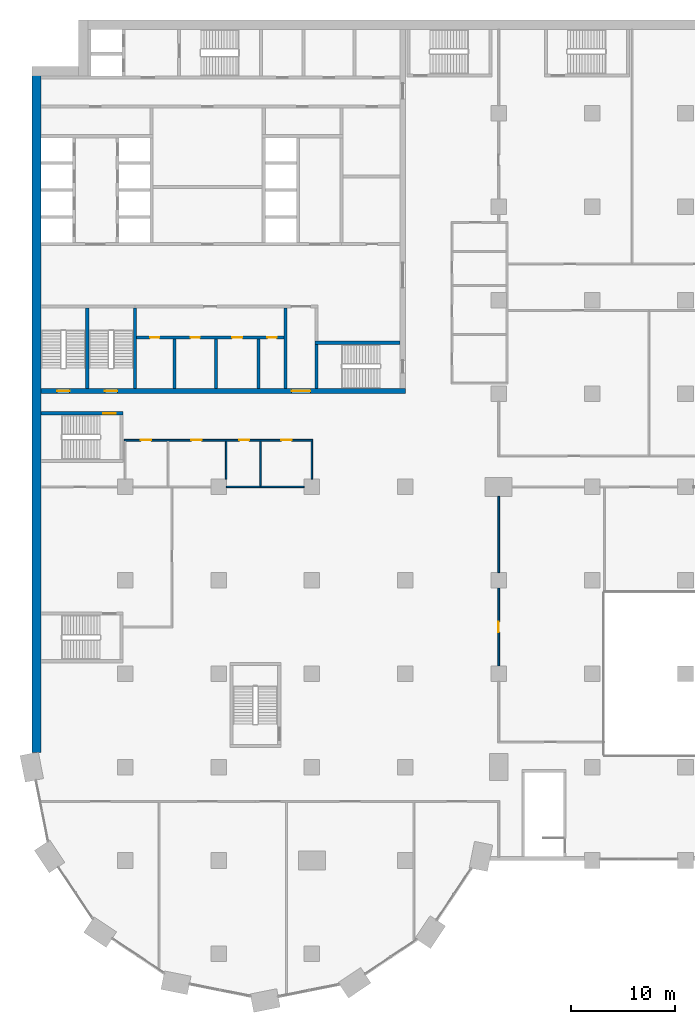
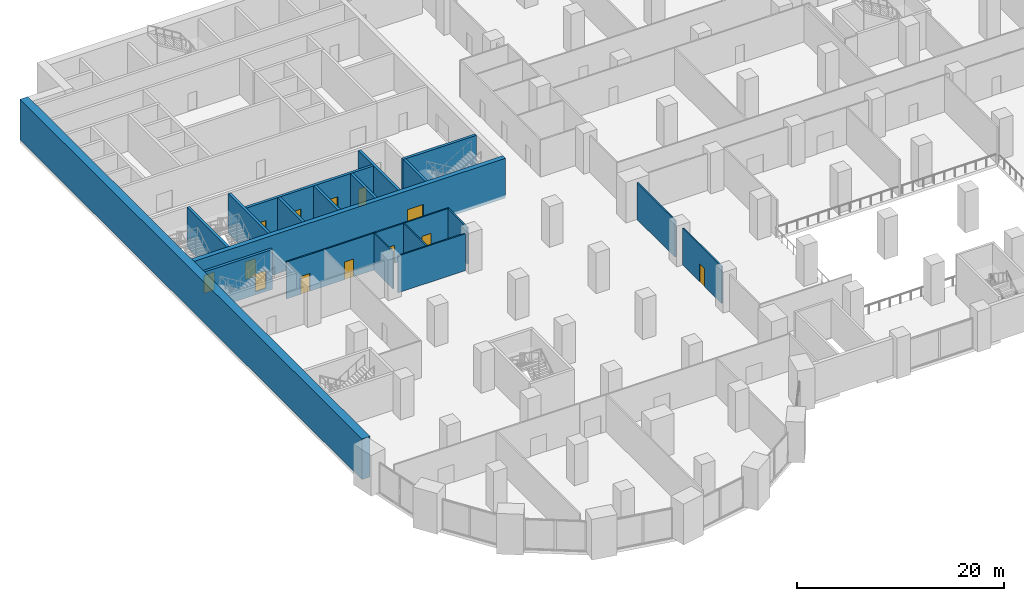
# One storey, part 14 of 32: 19 walls, 13 doors, 13 openings.
"""IFC4 building model written with IfcOpenShell, lengths in metres."""

import ifcopenshell
import ifcopenshell.guid

model = None  # the IFC model being written
_history = None  # IfcOwnerHistory: only IFC2X3 demands one
_inside = {}  # id of a spatial element -> (the spatial element, [elements in it])
_under = {}  # id of a project, library or spatial element -> (it, [spatial elements below it])
_declared = {}  # id of a project -> (the project, [libraries it declares])
_typed = {}  # id of a type object -> (the type object, [elements of that type])
_made_of = {}  # id of a material, layer set ... -> (it, [elements and type objects made of it])


def new_model(schema):
    """Start an empty IFC model of exactly this schema.

    Asked for "IFC4X3", IfcOpenShell would pick the latest addendum, in which some entities
    have other attributes; the version numbers below select the first issue.
    IFC2X3 requires an IfcOwnerHistory on every rooted entity: one is made here for all.
    """
    global model, _history
    if schema == "IFC4X3":
        model = ifcopenshell.file(schema_version=(4, 3, 0, 0))
    else:
        model = ifcopenshell.file(schema=schema)
    _inside.clear()
    _under.clear()
    _declared.clear()
    _typed.clear()
    _made_of.clear()
    _history = None
    if model.schema == "IFC2X3":
        org = make("IfcOrganization", Name="unknown")
        user = make(
            "IfcPersonAndOrganization",
            ThePerson=make("IfcPerson", FamilyName="unknown"),
            TheOrganization=org,
        )
        app = make(
            "IfcApplication",
            ApplicationDeveloper=org,
            Version="unknown",
            ApplicationFullName="unknown",
            ApplicationIdentifier="unknown",
        )
        _history = make(
            "IfcOwnerHistory",
            OwningUser=user,
            OwningApplication=app,
            ChangeAction="ADDED",
            CreationDate=0,
        )
    return model


def make(cls, **values):
    """One entity of the class cls with the attributes given. An attribute that is None is left unset."""
    return model.create_entity(
        cls, **{name: value for name, value in values.items() if value is not None}
    )


def rooted(cls, **values):
    """An entity with a GlobalId (a new one), such as an element, a storey or a relation."""
    return make(cls, GlobalId=ifcopenshell.guid.new(), OwnerHistory=_history, **values)


def si_unit(unit_type, name, prefix=None):
    """IfcSIUnit, for example si_unit("LENGTHUNIT", "METRE", prefix="MILLI")."""
    return make("IfcSIUnit", UnitType=unit_type, Prefix=prefix, Name=name)


def assignment(units):
    """IfcUnitAssignment: the units of a project."""
    return None if units is None else make("IfcUnitAssignment", Units=units)


def point(xyz):
    """IfcCartesianPoint."""
    return None if xyz is None else make("IfcCartesianPoint", Coordinates=xyz)


def direction(xyz):
    """IfcDirection."""
    return None if xyz is None else make("IfcDirection", DirectionRatios=xyz)


def frame(location, z_axis=None, x_axis=None):
    """IfcAxis2Placement3D, a coordinate frame: its origin and axes. An axis left out is left unset."""
    return make(
        "IfcAxis2Placement3D",
        Location=point(location),
        Axis=direction(z_axis),
        RefDirection=direction(x_axis),
    )


def frame_2d(location, x_axis=None):
    """IfcAxis2Placement2D, a coordinate frame in the plane: its origin and x axis."""
    return make(
        "IfcAxis2Placement2D", Location=point(location), RefDirection=direction(x_axis)
    )


def origin():
    """The frame at (0, 0, 0) with its axes left unset."""
    return frame((0.0, 0.0, 0.0))


def place(relative_to, where):
    """IfcLocalPlacement: puts the frame where relative to a parent placement (None: the world)."""
    return make(
        "IfcLocalPlacement", PlacementRelTo=relative_to, RelativePlacement=where
    )


def context(
    kind, dimensions, precision=None, world=None, true_north=None, identifier=None
):
    """IfcGeometricRepresentationContext, for example the 3D "Model" context."""
    return make(
        "IfcGeometricRepresentationContext",
        ContextIdentifier=identifier,
        ContextType=kind,
        CoordinateSpaceDimension=dimensions,
        Precision=precision,
        WorldCoordinateSystem=world,
        TrueNorth=true_north,
    )


def subcontext(parent, identifier, kind, view, scale=None):
    """IfcGeometricRepresentationSubContext, for example "Body" below "Model"."""
    return make(
        "IfcGeometricRepresentationSubContext",
        ContextIdentifier=identifier,
        ContextType=kind,
        ParentContext=parent,
        TargetScale=scale,
        TargetView=view,
    )


def project(units=None, contexts=None):
    """IfcProject with its units and contexts."""
    return rooted(
        "IfcProject",
        Name="project",
        RepresentationContexts=contexts,
        UnitsInContext=assignment(units),
    )


def spatial(cls, under=None, at=None, **own):
    """A site, building, storey or space (cls), placed at a placement, below another one or the project."""
    s = rooted(cls, ObjectPlacement=at, **own)
    if under is not None:
        _under.setdefault(under.id(), (under, []))[1].append(s)
    return s


def profile(cls, at=None, kind="AREA", **sizes):
    """A parametric profile (cls). Its sizes go by their IFC names, for example OverallWidth=200.0."""
    return make(cls, ProfileType=kind, Position=at, **sizes)


def rectangle(**sizes):
    """IfcRectangleProfileDef."""
    return profile("IfcRectangleProfileDef", **sizes)


def extrude(swept, where, along, depth):
    """IfcExtrudedAreaSolid: the profile swept, set in the frame where, extruded along a direction by depth."""
    return make(
        "IfcExtrudedAreaSolid",
        SweptArea=swept,
        Position=where,
        ExtrudedDirection=direction(along),
        Depth=depth,
    )


def shape(context_of_items, identifier, shape_type, items):
    """IfcShapeRepresentation: the items that make up one representation, for example the "Body"."""
    return make(
        "IfcShapeRepresentation",
        ContextOfItems=context_of_items,
        RepresentationIdentifier=identifier,
        RepresentationType=shape_type,
        Items=items,
    )


def material(Name=None, Category=None):
    """IfcMaterial."""
    return make("IfcMaterial", Name=Name, Category=Category)


def layer(
    of_material, thickness, ventilated=None, Name=None, Category=None, Priority=None
):
    """IfcMaterialLayer: one layer of a wall or slab, of a material (None: an air gap)."""
    return make(
        "IfcMaterialLayer",
        Material=of_material,
        LayerThickness=thickness,
        IsVentilated=ventilated,
        Name=Name,
        Category=Category,
        Priority=Priority,
    )


def layer_set(layers, Name=None):
    """IfcMaterialLayerSet."""
    return make("IfcMaterialLayerSet", MaterialLayers=layers, LayerSetName=Name)


def made_of(thing, what):
    """Note that an element or type object is made of a material, layer set ...; save() writes the relation."""
    if what is not None:
        _made_of.setdefault(what.id(), (what, []))[1].append(thing)
    return thing


def type_object(cls, material=None, **own):
    """A type object (cls), such as IfcWallType, which elements share."""
    return made_of(rooted(cls, **own), material)


def element(
    cls,
    number,
    at=None,
    inside=None,
    cuts=None,
    type_object=None,
    material=None,
    context=None,
    identifier="Body",
    shape_type=None,
    held_by="IfcProductDefinitionShape",
    body=None,
    shapes=None,
    **own,
):
    """One element of the class cls, such as IfcWall. Its Tag is "e" and its number.

    at: its placement. inside: the storey or other place that contains it. cuts: it is an
    opening in that element (IfcRelVoidsElement). A single representation is given by context,
    identifier, shape_type and body (its items); several are given by shapes. held_by: the class
    of the entity that holds the representations. save() writes the other relations.
    """
    e = rooted(cls, Tag="e%d" % number, ObjectPlacement=at, **own)
    if body is not None:
        shapes = [shape(context, identifier, shape_type, body)]
    if shapes is not None:
        e.Representation = make(held_by, Representations=shapes)
    if inside is not None:
        _inside.setdefault(inside.id(), (inside, []))[1].append(e)
    if cuts is not None:
        rooted(
            "IfcRelVoidsElement", RelatingBuildingElement=cuts, RelatedOpeningElement=e
        )
    if type_object is not None:
        _typed.setdefault(type_object.id(), (type_object, []))[1].append(e)
    return made_of(e, material)


def fill(opening, filler):
    """IfcRelFillsElement: the door or window that sits in an opening."""
    return rooted(
        "IfcRelFillsElement",
        RelatingOpeningElement=opening,
        RelatedBuildingElement=filler,
    )


def aggregate(whole, parts):
    """IfcRelAggregates: a whole, such as a stair, and the parts it consists of."""
    return rooted("IfcRelAggregates", RelatingObject=whole, RelatedObjects=parts)


def save(model, path):
    """Write the relations noted so far, then the file.

    IfcRelAggregates (storeys below a building ...), IfcRelContainedInSpatialStructure (elements
    in a storey), IfcRelDefinesByType, IfcRelAssociatesMaterial and IfcRelDeclares: one each for
    every whole, place, type object, material and project.
    """
    for whole, parts in _under.values():
        aggregate(whole, parts)
    for where, things in _inside.values():
        rooted(
            "IfcRelContainedInSpatialStructure",
            RelatedElements=things,
            RelatingStructure=where,
        )
    for kind, things in _typed.values():
        rooted("IfcRelDefinesByType", RelatedObjects=things, RelatingType=kind)
    for what, things in _made_of.values():
        rooted("IfcRelAssociatesMaterial", RelatedObjects=things, RelatingMaterial=what)
    for by, libraries in _declared.values():
        rooted("IfcRelDeclares", RelatingContext=by, RelatedDefinitions=libraries)
    model.write(path)


model = new_model("IFC4")

# Units and contexts
model_context = context("Model", 3, precision=1e-05, world=origin(), true_north=direction((0.0, 1.0)))
body_context = subcontext(model_context, "Body", "Model", "MODEL_VIEW")
ifc_project = project(units=[si_unit("LENGTHUNIT", "METRE"), si_unit("AREAUNIT", "SQUARE_METRE"), si_unit("VOLUMEUNIT", "CUBIC_METRE"), si_unit("PLANEANGLEUNIT", "RADIAN"), si_unit("MASSUNIT", "GRAM", prefix="KILO")], contexts=[model_context])

# Site, building, storey
site_placement = place(None, origin())
site = spatial("IfcSite", under=ifc_project, at=site_placement, CompositionType="ELEMENT")
building_placement = place(site_placement, origin())
building = spatial("IfcBuilding", under=site, at=building_placement, Name="Hunhe Ridgeline Campus", CompositionType="ELEMENT")
storey_placement = place(building_placement, frame((0.0, 0.0, 26.39990234375)))
storey = spatial("IfcBuildingStorey", under=building, at=storey_placement, Name="L05", CompositionType="ELEMENT", Elevation=26.39990234375)

# Wall, opening, door
ifc_material_1 = material(Name="Plastered blockwork", Category="masonry")
ifc_layer_1 = layer(ifc_material_1, 0.14990234375)
ifc_layer_set_1 = layer_set([ifc_layer_1], Name="Blockwork partition 150")
wall_type_1 = type_object("IfcWallType", Name="Blockwork partition 150", PredefinedType="PARTITIONING", material=ifc_layer_set_1)
wall_1_placement = place(storey_placement, frame((45.0, 36.75, 0.0), z_axis=(0.0, 0.0, 1.0), x_axis=(0.0, 1.0, 0.0)))
wall_1 = element("IfcWall", 1, at=wall_1_placement, inside=storey, type_object=wall_type_1, Name="L05 partition", PredefinedType="PARTITIONING", context=body_context, shape_type="SweptSolid", body=[
    extrude(rectangle(XDim=7.5, YDim=0.14990234375, at=frame_2d((3.75, 0.0))), origin(), (0.0, 0.0, 1.0), 4.35009765625),
])
opening_1_placement = place(wall_1_placement, frame((3.25, 0.0, 0.0)))
opening_1 = element("IfcOpeningElement", 2, at=opening_1_placement, cuts=wall_1, Name="Opening PD609", PredefinedType="OPENING", context=body_context, shape_type="SweptSolid", body=[
    extrude(rectangle(XDim=1.0, YDim=2.10009765625, at=frame_2d((0.5, 1.050048828125))), frame((0.0, 0.074951171875, 0.0), z_axis=(0.0, -1.0, 0.0), x_axis=(1.0, 0.0, 0.0)), (0.0, 0.0, 1.0), 0.14990234375),
])
ifc_material_2 = material(Name="Timber", Category="wood")
door_type_1 = type_object("IfcDoorType", Name="Podium timber door 1000x2100", OperationType="NOTDEFINED", PredefinedType="DOOR", material=ifc_material_2)
door_1_placement = place(opening_1_placement, origin())
door_1 = element("IfcDoor", 3, at=door_1_placement, inside=storey, type_object=door_type_1, Name="Archive Store door", OperationType="SINGLE_SWING_RIGHT", OverallHeight=2.10009765625, OverallWidth=1.0, PredefinedType="DOOR", context=body_context, shape_type="SweptSolid", body=[
    extrude(rectangle(XDim=1.0, YDim=2.10009765625, at=frame_2d((0.5, 1.050048828125))), frame((0.0, 0.02490234375, 0.0), z_axis=(0.0, -1.0, 0.0), x_axis=(1.0, 0.0, 0.0)), (0.0, 0.0, 1.0), 0.050048828125),
])
fill(opening_1, door_1)

# Walls
wall_2_placement = place(storey_placement, frame((45.0, 45.75, 0.0), z_axis=(0.0, 0.0, 1.0), x_axis=(0.0, 1.0, 0.0)))
element("IfcWall", 4, at=wall_2_placement, inside=storey, type_object=wall_type_1, Name="L05 partition", PredefinedType="PARTITIONING", context=body_context, shape_type="SweptSolid", body=[
    extrude(rectangle(XDim=7.35009765625, YDim=0.14990234375, at=frame_2d((3.675048828125, 0.0))), origin(), (0.0, 0.0, 1.0), 4.35009765625),
])
wall_3_placement = place(storey_placement, frame((26.25, 54.0, 0.0), z_axis=(0.0, 0.0, 1.0), x_axis=(-1.0, 0.0, 0.0)))
element("IfcWall", 5, at=wall_3_placement, inside=storey, type_object=wall_type_1, Name="L05 partition", PredefinedType="PARTITIONING", context=body_context, shape_type="SweptSolid", body=[
    extrude(rectangle(XDim=7.5, YDim=0.14990234375, at=frame_2d((3.75, 0.0))), origin(), (0.0, 0.0, 1.0), 4.35009765625),
])

# Wall, openings, doors
wall_4_placement = place(storey_placement, frame((8.925048828125, 58.5, 0.0), z_axis=(0.0, 0.0, 1.0), x_axis=(1.0, 0.0, 0.0)))
wall_4 = element("IfcWall", 6, at=wall_4_placement, inside=storey, type_object=wall_type_1, Name="L05 partition", PredefinedType="PARTITIONING", context=body_context, shape_type="SweptSolid", body=[
    extrude(rectangle(XDim=18.14990234375, YDim=0.14990234375, at=frame_2d((9.074951171875, 0.0))), origin(), (0.0, 0.0, 1.0), 4.35009765625),
])
opening_2_placement = place(wall_4_placement, frame((1.574951171875, 0.0, 0.0)))
opening_2 = element("IfcOpeningElement", 7, at=opening_2_placement, cuts=wall_4, Name="Opening PD630", PredefinedType="OPENING", context=body_context, shape_type="SweptSolid", body=[
    extrude(rectangle(XDim=1.0, YDim=2.10009765625, at=frame_2d((0.5, 1.050048828125))), frame((0.0, 0.074951171875, 0.0), z_axis=(0.0, -1.0, 0.0), x_axis=(1.0, 0.0, 0.0)), (0.0, 0.0, 1.0), 0.14990234375),
])
opening_3_placement = place(wall_4_placement, frame((6.462890625, 0.0, 0.0)))
opening_3 = element("IfcOpeningElement", 8, at=opening_3_placement, cuts=wall_4, Name="Opening PD631", PredefinedType="OPENING", context=body_context, shape_type="SweptSolid", body=[
    extrude(rectangle(XDim=1.0, YDim=2.10009765625, at=frame_2d((0.5, 1.050048828125))), frame((0.0, 0.074951171875, 0.0), z_axis=(0.0, -1.0, 0.0), x_axis=(1.0, 0.0, 0.0)), (0.0, 0.0, 1.0), 0.14990234375),
])
opening_4_placement = place(wall_4_placement, frame((11.049072265625, 0.0, 0.0)))
opening_4 = element("IfcOpeningElement", 9, at=opening_4_placement, cuts=wall_4, Name="Opening PD632", PredefinedType="OPENING", context=body_context, shape_type="SweptSolid", body=[
    extrude(rectangle(XDim=1.0, YDim=2.10009765625, at=frame_2d((0.5, 1.050048828125))), frame((0.0, 0.074951171875, 0.0), z_axis=(0.0, -1.0, 0.0), x_axis=(1.0, 0.0, 0.0)), (0.0, 0.0, 1.0), 0.14990234375),
])
opening_5_placement = place(wall_4_placement, frame((15.10888671875, 0.0, 0.0)))
opening_5 = element("IfcOpeningElement", 10, at=opening_5_placement, cuts=wall_4, Name="Opening PD633", PredefinedType="OPENING", context=body_context, shape_type="SweptSolid", body=[
    extrude(rectangle(XDim=1.0, YDim=2.10009765625, at=frame_2d((0.5, 1.050048828125))), frame((0.0, 0.074951171875, 0.0), z_axis=(0.0, -1.0, 0.0), x_axis=(1.0, 0.0, 0.0)), (0.0, 0.0, 1.0), 0.14990234375),
])
door_2_placement = place(opening_2_placement, origin())
door_2 = element("IfcDoor", 11, at=door_2_placement, inside=storey, type_object=door_type_1, Name="Library Office door", OperationType="SINGLE_SWING_LEFT", OverallHeight=2.10009765625, OverallWidth=1.0, PredefinedType="DOOR", context=body_context, shape_type="SweptSolid", body=[
    extrude(rectangle(XDim=1.0, YDim=2.10009765625, at=frame_2d((0.5, 1.050048828125))), frame((0.0, 0.02490234375, 0.0), z_axis=(0.0, -1.0, 0.0), x_axis=(1.0, 0.0, 0.0)), (0.0, 0.0, 1.0), 0.050048828125),
])
fill(opening_2, door_2)
door_3_placement = place(opening_3_placement, origin())
door_3 = element("IfcDoor", 12, at=door_3_placement, inside=storey, type_object=door_type_1, Name="Library Office door", OperationType="SINGLE_SWING_LEFT", OverallHeight=2.10009765625, OverallWidth=1.0, PredefinedType="DOOR", context=body_context, shape_type="SweptSolid", body=[
    extrude(rectangle(XDim=1.0, YDim=2.10009765625, at=frame_2d((0.5, 1.050048828125))), frame((0.0, 0.02490234375, 0.0), z_axis=(0.0, -1.0, 0.0), x_axis=(1.0, 0.0, 0.0)), (0.0, 0.0, 1.0), 0.050048828125),
])
fill(opening_3, door_3)
door_4_placement = place(opening_4_placement, origin())
door_4 = element("IfcDoor", 13, at=door_4_placement, inside=storey, type_object=door_type_1, Name="Study Room door", OperationType="SINGLE_SWING_RIGHT", OverallHeight=2.10009765625, OverallWidth=1.0, PredefinedType="DOOR", context=body_context, shape_type="SweptSolid", body=[
    extrude(rectangle(XDim=1.0, YDim=2.10009765625, at=frame_2d((0.5, 1.050048828125))), frame((0.0, 0.02490234375, 0.0), z_axis=(0.0, -1.0, 0.0), x_axis=(1.0, 0.0, 0.0)), (0.0, 0.0, 1.0), 0.050048828125),
])
fill(opening_4, door_4)
door_5_placement = place(opening_5_placement, origin())
door_5 = element("IfcDoor", 14, at=door_5_placement, inside=storey, type_object=door_type_1, Name="Study Room door", OperationType="SINGLE_SWING_RIGHT", OverallHeight=2.10009765625, OverallWidth=1.0, PredefinedType="DOOR", context=body_context, shape_type="SweptSolid", body=[
    extrude(rectangle(XDim=1.0, YDim=2.10009765625, at=frame_2d((0.5, 1.050048828125))), frame((0.0, 0.02490234375, 0.0), z_axis=(0.0, -1.0, 0.0), x_axis=(1.0, 0.0, 0.0)), (0.0, 0.0, 1.0), 0.050048828125),
])
fill(opening_5, door_5)

# Walls
wall_5_placement = place(storey_placement, frame((18.72412109375, 54.75, 0.0), z_axis=(0.0, 0.0, 1.0), x_axis=(0.0, 1.0, 0.0)))
element("IfcWall", 15, at=wall_5_placement, inside=storey, type_object=wall_type_1, Name="L05 partition", PredefinedType="PARTITIONING", context=body_context, shape_type="SweptSolid", body=[
    extrude(rectangle(XDim=3.675048828125, YDim=0.14990234375, at=frame_2d((1.83740234375, 0.0))), origin(), (0.0, 0.0, 1.0), 4.35009765625),
])
wall_6_placement = place(storey_placement, frame((22.033935546875, 54.074951171875, 0.0), z_axis=(0.0, 0.0, 1.0), x_axis=(0.0, 1.0, 0.0)))
element("IfcWall", 16, at=wall_6_placement, inside=storey, type_object=wall_type_1, Name="L05 partition", PredefinedType="PARTITIONING", context=body_context, shape_type="SweptSolid", body=[
    extrude(rectangle(XDim=4.35009765625, YDim=0.14990234375, at=frame_2d((2.175048828125, 0.0))), origin(), (0.0, 0.0, 1.0), 4.35009765625),
])
wall_7_placement = place(storey_placement, frame((27.0, 58.425048828125, 0.0), z_axis=(0.0, 0.0, 1.0), x_axis=(0.0, -1.0, 0.0)))
element("IfcWall", 17, at=wall_7_placement, inside=storey, type_object=wall_type_1, Name="L05 partition", PredefinedType="PARTITIONING", context=body_context, shape_type="SweptSolid", body=[
    extrude(rectangle(XDim=3.675048828125, YDim=0.14990234375, at=frame_2d((1.83740234375, 0.0))), origin(), (0.0, 0.0, 1.0), 4.35009765625),
])

# Wall, openings, doors
ifc_material_3 = material(Name="Masonry concrete blockwork", Category="masonry")
ifc_layer_2 = layer(ifc_material_3, 0.300048828125)
ifc_layer_set_2 = layer_set([ifc_layer_2], Name="Core room partition 300 concrete block")
wall_type_2 = type_object("IfcWallType", Name="Core room partition 300 concrete block", PredefinedType="PARTITIONING", material=ifc_layer_set_2)
wall_8_placement = place(storey_placement, frame((10.10009765625, 68.39990234375, 0.0), z_axis=(0.0, 0.0, 1.0), x_axis=(1.0, 0.0, 0.0)))
wall_8 = element("IfcWall", 18, at=wall_8_placement, inside=storey, type_object=wall_type_2, Name="L05 core partition 10", PredefinedType="PARTITIONING", context=body_context, shape_type="SweptSolid", body=[
    extrude(rectangle(XDim=14.199951171875, YDim=0.300048828125, at=frame_2d((7.10009765625, 0.0))), origin(), (0.0, 0.0, 1.0), 4.35009765625),
])
opening_6_placement = place(wall_8_placement, frame((1.300048828125, 0.0, 0.0)))
opening_6 = element("IfcOpeningElement", 19, at=opening_6_placement, cuts=wall_8, Name="Opening CD8", PredefinedType="OPENING", context=body_context, shape_type="SweptSolid", body=[
    extrude(rectangle(XDim=0.89990234375, YDim=2.10009765625, at=frame_2d((0.449951171875, 1.050048828125))), frame((0.0, 0.14990234375, 0.0), z_axis=(0.0, -1.0, 0.0), x_axis=(1.0, 0.0, 0.0)), (0.0, 0.0, 1.0), 0.300048828125),
])
opening_7_placement = place(wall_8_placement, frame((5.199951171875, 0.0, 0.0)))
opening_7 = element("IfcOpeningElement", 20, at=opening_7_placement, cuts=wall_8, Name="Opening CD9", PredefinedType="OPENING", context=body_context, shape_type="SweptSolid", body=[
    extrude(rectangle(XDim=0.89990234375, YDim=2.10009765625, at=frame_2d((0.449951171875, 1.050048828125))), frame((0.0, 0.14990234375, 0.0), z_axis=(0.0, -1.0, 0.0), x_axis=(1.0, 0.0, 0.0)), (0.0, 0.0, 1.0), 0.300048828125),
])
opening_8_placement = place(wall_8_placement, frame((9.199951171875, 0.0, 0.0)))
opening_8 = element("IfcOpeningElement", 21, at=opening_8_placement, cuts=wall_8, Name="Opening CD10", PredefinedType="OPENING", context=body_context, shape_type="SweptSolid", body=[
    extrude(rectangle(XDim=1.0, YDim=2.10009765625, at=frame_2d((0.5, 1.050048828125))), frame((0.0, 0.14990234375, 0.0), z_axis=(0.0, -1.0, 0.0), x_axis=(1.0, 0.0, 0.0)), (0.0, 0.0, 1.0), 0.300048828125),
])
opening_9_placement = place(wall_8_placement, frame((12.60009765625, 0.0, 0.0)))
opening_9 = element("IfcOpeningElement", 22, at=opening_9_placement, cuts=wall_8, Name="Opening CD11", PredefinedType="OPENING", context=body_context, shape_type="SweptSolid", body=[
    extrude(rectangle(XDim=0.89990234375, YDim=2.10009765625, at=frame_2d((0.449951171875, 1.050048828125))), frame((0.0, 0.14990234375, 0.0), z_axis=(0.0, -1.0, 0.0), x_axis=(1.0, 0.0, 0.0)), (0.0, 0.0, 1.0), 0.300048828125),
])
ifc_material_4 = material(Name="Solid core timber door leaf", Category="wood")
door_type_2 = type_object("IfcDoorType", Name="Timber door 1000x2100", OperationType="SINGLE_SWING_LEFT", PredefinedType="DOOR", material=ifc_material_4)
door_6_placement = place(opening_8_placement, frame((1.0, 0.0, 0.0), z_axis=(0.0, 0.0, 1.0), x_axis=(-1.0, 0.0, 0.0)))
door_6 = element("IfcDoor", 23, at=door_6_placement, inside=storey, type_object=door_type_2, Name="L05 door WC3", OperationType="SINGLE_SWING_RIGHT", OverallHeight=2.10009765625, OverallWidth=1.0, PredefinedType="DOOR", context=body_context, shape_type="SweptSolid", body=[
    extrude(rectangle(XDim=1.0, YDim=2.10009765625, at=frame_2d((0.5, 1.050048828125))), frame((0.0, 0.02490234375, 0.0), z_axis=(0.0, -1.0, 0.0), x_axis=(1.0, 0.0, 0.0)), (0.0, 0.0, 1.0), 0.050048828125),
])
fill(opening_8, door_6)
door_type_3 = type_object("IfcDoorType", Name="Timber door 900x2100", OperationType="SINGLE_SWING_LEFT", PredefinedType="DOOR", material=ifc_material_4)
door_7_placement = place(opening_6_placement, frame((0.89990234375, 0.0, 0.0), z_axis=(0.0, 0.0, 1.0), x_axis=(-1.0, 0.0, 0.0)))
door_7 = element("IfcDoor", 24, at=door_7_placement, inside=storey, type_object=door_type_3, Name="L05 door WC1", OperationType="SINGLE_SWING_RIGHT", OverallHeight=2.10009765625, OverallWidth=0.89990234375, PredefinedType="DOOR", context=body_context, shape_type="SweptSolid", body=[
    extrude(rectangle(XDim=0.89990234375, YDim=2.10009765625, at=frame_2d((0.449951171875, 1.050048828125))), frame((0.0, 0.02490234375, 0.0), z_axis=(0.0, -1.0, 0.0), x_axis=(1.0, 0.0, 0.0)), (0.0, 0.0, 1.0), 0.050048828125),
])
fill(opening_6, door_7)
door_8_placement = place(opening_7_placement, frame((0.89990234375, 0.0, 0.0), z_axis=(0.0, 0.0, 1.0), x_axis=(-1.0, 0.0, 0.0)))
door_8 = element("IfcDoor", 25, at=door_8_placement, inside=storey, type_object=door_type_3, Name="L05 door WC2", OperationType="SINGLE_SWING_LEFT", OverallHeight=2.10009765625, OverallWidth=0.89990234375, PredefinedType="DOOR", context=body_context, shape_type="SweptSolid", body=[
    extrude(rectangle(XDim=0.89990234375, YDim=2.10009765625, at=frame_2d((0.449951171875, 1.050048828125))), frame((0.0, 0.02490234375, 0.0), z_axis=(0.0, -1.0, 0.0), x_axis=(1.0, 0.0, 0.0)), (0.0, 0.0, 1.0), 0.050048828125),
])
fill(opening_7, door_8)
door_9_placement = place(opening_9_placement, frame((0.89990234375, 0.0, 0.0), z_axis=(0.0, 0.0, 1.0), x_axis=(-1.0, 0.0, 0.0)))
door_9 = element("IfcDoor", 26, at=door_9_placement, inside=storey, type_object=door_type_3, Name="L05 door WC4", OperationType="SINGLE_SWING_LEFT", OverallHeight=2.10009765625, OverallWidth=0.89990234375, PredefinedType="DOOR", context=body_context, shape_type="SweptSolid", body=[
    extrude(rectangle(XDim=0.89990234375, YDim=2.10009765625, at=frame_2d((0.449951171875, 1.050048828125))), frame((0.0, 0.02490234375, 0.0), z_axis=(0.0, -1.0, 0.0), x_axis=(1.0, 0.0, 0.0)), (0.0, 0.0, 1.0), 0.050048828125),
])
fill(opening_9, door_9)

# Walls
for number, where, z_axis, x_axis, name in (
    (27, (13.75, 63.5, 0.0), (0.0, 0.0, 1.0), (0.0, 1.0, 0.0), "L05 core partition 46"),
    (28, (17.75, 63.5, 0.0), (0.0, 0.0, 1.0), (0.0, 1.0, 0.0), "L05 core partition 48"),
    (29, (21.85009765625, 63.5, 0.0), (0.0, 0.0, 1.0), (0.0, 1.0, 0.0), "L05 core partition 50"),
):
    element("IfcWall", number, at=place(storey_placement, frame(where, z_axis=z_axis, x_axis=x_axis)), inside=storey, type_object=wall_type_2, Name=name, PredefinedType="PARTITIONING", context=body_context, shape_type="SweptSolid", body=[
        extrude(rectangle(XDim=4.75, YDim=0.300048828125, at=frame_2d((2.375, 0.0))), origin(), (0.0, 0.0, 1.0), 4.35009765625),
    ])
wall_9_placement = place(storey_placement, frame((24.449951171875, 63.5, 0.0), z_axis=(0.0, 0.0, 1.0), x_axis=(0.0, 1.0, 0.0)))
element("IfcWall", 30, at=wall_9_placement, inside=storey, type_object=wall_type_2, Name="L05 core partition 55", PredefinedType="PARTITIONING", context=body_context, shape_type="SweptSolid", body=[
    extrude(rectangle(XDim=7.75, YDim=0.300048828125, at=frame_2d((3.875, 0.0))), origin(), (0.0, 0.0, 1.0), 4.35009765625),
])

# Wall, openings, doors
ifc_material_5 = material(Name="Concrete C80", Category="concrete")
ifc_layer_3 = layer(ifc_material_5, 0.5)
ifc_layer_set_3 = layer_set([ifc_layer_3], Name="Core wall 500 reinforced concrete C80")
wall_type_3 = type_object("IfcWallType", Name="Core wall 500 reinforced concrete C80", PredefinedType="SOLIDWALL", material=ifc_layer_set_3)
wall_10_placement = place(storey_placement, frame((0.89990234375, 63.25, -0.349853515625), z_axis=(0.0, 0.0, 1.0), x_axis=(1.0, 0.0, 0.0)))
wall_10 = element("IfcWall", 31, at=wall_10_placement, inside=storey, type_object=wall_type_3, Name="L05 core wall 7", PredefinedType="SOLIDWALL", context=body_context, shape_type="SweptSolid", body=[
    extrude(rectangle(XDim=35.10009765625, YDim=0.5, at=frame_2d((17.550048828125, 0.0))), origin(), (0.0, 0.0, 1.0), 4.699951171875),
])
opening_10_placement = place(wall_10_placement, frame((24.14990234375, 0.0, 0.35009765625)))
opening_10 = element("IfcOpeningElement", 32, at=opening_10_placement, cuts=wall_10, Name="Opening CD6", PredefinedType="OPENING", context=body_context, shape_type="SweptSolid", body=[
    extrude(rectangle(XDim=1.800048828125, YDim=2.10009765625, at=frame_2d((0.89990234375, 1.050048828125))), frame((0.0, 0.25, 0.0), z_axis=(0.0, -1.0, 0.0), x_axis=(1.0, 0.0, 0.0)), (0.0, 0.0, 1.0), 0.5),
])
opening_11_placement = place(wall_10_placement, frame((1.550048828125, 0.0, 0.35009765625)))
opening_11 = element("IfcOpeningElement", 33, at=opening_11_placement, cuts=wall_10, Name="Opening CD13", PredefinedType="OPENING", context=body_context, shape_type="SweptSolid", body=[
    extrude(rectangle(XDim=1.199951171875, YDim=2.10009765625, at=frame_2d((0.60009765625, 1.050048828125))), frame((0.0, 0.25, 0.0), z_axis=(0.0, -1.0, 0.0), x_axis=(1.0, 0.0, 0.0)), (0.0, 0.0, 1.0), 0.5),
])
opening_12_placement = place(wall_10_placement, frame((6.14990234375, 0.0, 0.35009765625)))
opening_12 = element("IfcOpeningElement", 34, at=opening_12_placement, cuts=wall_10, Name="Opening CD14", PredefinedType="OPENING", context=body_context, shape_type="SweptSolid", body=[
    extrude(rectangle(XDim=1.199951171875, YDim=2.10009765625, at=frame_2d((0.60009765625, 1.050048828125))), frame((0.0, 0.25, 0.0), z_axis=(0.0, -1.0, 0.0), x_axis=(1.0, 0.0, 0.0)), (0.0, 0.0, 1.0), 0.5),
])
ifc_material_6 = material(Name="Anodised aluminium and glass", Category="aluminium")
door_type_4 = type_object("IfcDoorType", Name="Glazed double door 1800x2100", OperationType="DOUBLE_DOOR_SINGLE_SWING", PredefinedType="DOOR", material=ifc_material_6)
door_10_placement = place(opening_10_placement, frame((1.800048828125, 0.0, 0.0), z_axis=(0.0, 0.0, 1.0), x_axis=(-1.0, 0.0, 0.0)))
door_10 = element("IfcDoor", 35, at=door_10_placement, inside=storey, type_object=door_type_4, Name="L05 door VEST-FLOOR", OperationType="DOUBLE_DOOR_SINGLE_SWING", OverallHeight=2.10009765625, OverallWidth=1.800048828125, PredefinedType="DOOR", context=body_context, shape_type="SweptSolid", body=[
    extrude(rectangle(XDim=1.800048828125, YDim=2.10009765625, at=frame_2d((0.89990234375, 1.050048828125))), frame((0.0, 0.02490234375, 0.0), z_axis=(0.0, -1.0, 0.0), x_axis=(1.0, 0.0, 0.0)), (0.0, 0.0, 1.0), 0.050048828125),
])
fill(opening_10, door_10)
ifc_material_7 = material(Name="Hollow metal fire door leaf")
door_type_5 = type_object("IfcDoorType", Name="Stair door 1200x2100 FD60", OperationType="SINGLE_SWING_LEFT", PredefinedType="DOOR", material=ifc_material_7)
door_11_placement = place(opening_11_placement, frame((1.199951171875, 0.0, 0.0), z_axis=(0.0, 0.0, 1.0), x_axis=(-1.0, 0.0, 0.0)))
door_11 = element("IfcDoor", 36, at=door_11_placement, inside=storey, type_object=door_type_5, Name="L05 door S3", OperationType="SINGLE_SWING_RIGHT", OverallHeight=2.10009765625, OverallWidth=1.199951171875, PredefinedType="DOOR", context=body_context, shape_type="SweptSolid", body=[
    extrude(rectangle(XDim=1.199951171875, YDim=2.10009765625, at=frame_2d((0.60009765625, 1.050048828125))), frame((0.0, 0.02490234375, 0.0), z_axis=(0.0, -1.0, 0.0), x_axis=(1.0, 0.0, 0.0)), (0.0, 0.0, 1.0), 0.050048828125),
])
fill(opening_11, door_11)
door_12_placement = place(opening_12_placement, frame((1.199951171875, 0.0, 0.0), z_axis=(0.0, 0.0, 1.0), x_axis=(-1.0, 0.0, 0.0)))
door_12 = element("IfcDoor", 37, at=door_12_placement, inside=storey, type_object=door_type_5, Name="L05 door S4", OperationType="SINGLE_SWING_LEFT", OverallHeight=2.10009765625, OverallWidth=1.199951171875, PredefinedType="DOOR", context=body_context, shape_type="SweptSolid", body=[
    extrude(rectangle(XDim=1.199951171875, YDim=2.10009765625, at=frame_2d((0.60009765625, 1.050048828125))), frame((0.0, 0.02490234375, 0.0), z_axis=(0.0, -1.0, 0.0), x_axis=(1.0, 0.0, 0.0)), (0.0, 0.0, 1.0), 0.050048828125),
])
fill(opening_12, door_12)

# Wall
ifc_layer_4 = layer(ifc_material_5, 0.89990234375)
ifc_layer_set_4 = layer_set([ifc_layer_4], Name="Spine wall 900 Concrete C80")
wall_type_4 = type_object("IfcWallType", Name="Spine wall 900 Concrete C80", PredefinedType="SHEAR", material=ifc_layer_set_4)
wall_11_placement = place(storey_placement, frame((0.449951171875, 94.5, 0.0), z_axis=(0.0, 0.0, 1.0), x_axis=(0.0, -1.0, 0.0)))
element("IfcWall", 38, at=wall_11_placement, inside=storey, type_object=wall_type_4, Name="Spine wall SW1-1 L05", PredefinedType="SHEAR", context=body_context, shape_type="SweptSolid", body=[
    extrude(rectangle(XDim=66.0849609375, YDim=0.89990234375, at=frame_2d((33.04248046875, 0.0))), origin(), (0.0, 0.0, 1.0), 4.800048828125),
])

# Wall, opening, door
ifc_layer_5 = layer(ifc_material_5, 0.300048828125)
ifc_layer_set_5 = layer_set([ifc_layer_5], Name="Stair wall 300 reinforced concrete C80")
wall_type_5 = type_object("IfcWallType", Name="Stair wall 300 reinforced concrete C80", PredefinedType="SOLIDWALL", material=ifc_layer_set_5)
wall_12_placement = place(storey_placement, frame((0.89990234375, 61.10009765625, -0.349853515625), z_axis=(0.0, 0.0, 1.0), x_axis=(1.0, 0.0, 0.0)))
wall_12 = element("IfcWall", 39, at=wall_12_placement, inside=storey, type_object=wall_type_5, Name="L05 core wall 6", PredefinedType="SOLIDWALL", context=body_context, shape_type="SweptSolid", body=[
    extrude(rectangle(XDim=7.900146484375, YDim=0.300048828125, at=frame_2d((3.9501953125, 0.0))), origin(), (0.0, 0.0, 1.0), 4.699951171875),
])
opening_13_placement = place(wall_12_placement, frame((6.0, 0.0, 0.35009765625)))
opening_13 = element("IfcOpeningElement", 40, at=opening_13_placement, cuts=wall_12, Name="Opening CD22", PredefinedType="OPENING", context=body_context, shape_type="SweptSolid", body=[
    extrude(rectangle(XDim=1.199951171875, YDim=2.10009765625, at=frame_2d((0.60009765625, 1.050048828125))), frame((0.0, 0.14990234375, 0.0), z_axis=(0.0, -1.0, 0.0), x_axis=(1.0, 0.0, 0.0)), (0.0, 0.0, 1.0), 0.300048828125),
])
door_13_placement = place(opening_13_placement, origin())
door_13 = element("IfcDoor", 41, at=door_13_placement, inside=storey, type_object=door_type_5, Name="L05 door W2", OperationType="SINGLE_SWING_RIGHT", OverallHeight=2.10009765625, OverallWidth=1.199951171875, PredefinedType="DOOR", context=body_context, shape_type="SweptSolid", body=[
    extrude(rectangle(XDim=1.199951171875, YDim=2.10009765625, at=frame_2d((0.60009765625, 1.050048828125))), frame((0.0, 0.02490234375, 0.0), z_axis=(0.0, -1.0, 0.0), x_axis=(1.0, 0.0, 0.0)), (0.0, 0.0, 1.0), 0.050048828125),
])
fill(opening_13, door_13)

# Walls
wall_13_placement = place(storey_placement, frame((27.300048828125, 67.89990234375, -0.349853515625), z_axis=(0.0, 0.0, 1.0), x_axis=(1.0, 0.0, 0.0)))
element("IfcWall", 42, at=wall_13_placement, inside=storey, type_object=wall_type_5, Name="L05 core wall 9", PredefinedType="SOLIDWALL", context=body_context, shape_type="SweptSolid", body=[
    extrude(rectangle(XDim=8.199951171875, YDim=0.300048828125, at=frame_2d((4.10009765625, 0.0))), origin(), (0.0, 0.0, 1.0), 4.699951171875),
])
for number, where, z_axis, x_axis, name in (
    (43, (5.35009765625, 63.5, -0.349853515625), (0.0, 0.0, 1.0), (0.0, 1.0, 0.0), "L05 core wall 37"),
    (44, (9.949951171875, 63.5, -0.349853515625), (0.0, 0.0, 1.0), (0.0, 1.0, 0.0), "L05 core wall 43"),
):
    element("IfcWall", number, at=place(storey_placement, frame(where, z_axis=z_axis, x_axis=x_axis)), inside=storey, type_object=wall_type_5, Name=name, PredefinedType="SOLIDWALL", context=body_context, shape_type="SweptSolid", body=[
        extrude(rectangle(XDim=7.75, YDim=0.300048828125, at=frame_2d((3.875, 0.0))), origin(), (0.0, 0.0, 1.0), 4.699951171875),
    ])
wall_14_placement = place(storey_placement, frame((27.449951171875, 63.5, -0.349853515625), z_axis=(0.0, 0.0, 1.0), x_axis=(0.0, 1.0, 0.0)))
element("IfcWall", 45, at=wall_14_placement, inside=storey, type_object=wall_type_5, Name="L05 core wall 58", PredefinedType="SOLIDWALL", context=body_context, shape_type="SweptSolid", body=[
    extrude(rectangle(XDim=4.25, YDim=0.300048828125, at=frame_2d((2.125, 0.0))), origin(), (0.0, 0.0, 1.0), 4.699951171875),
])

save(model, "model.ifc")
